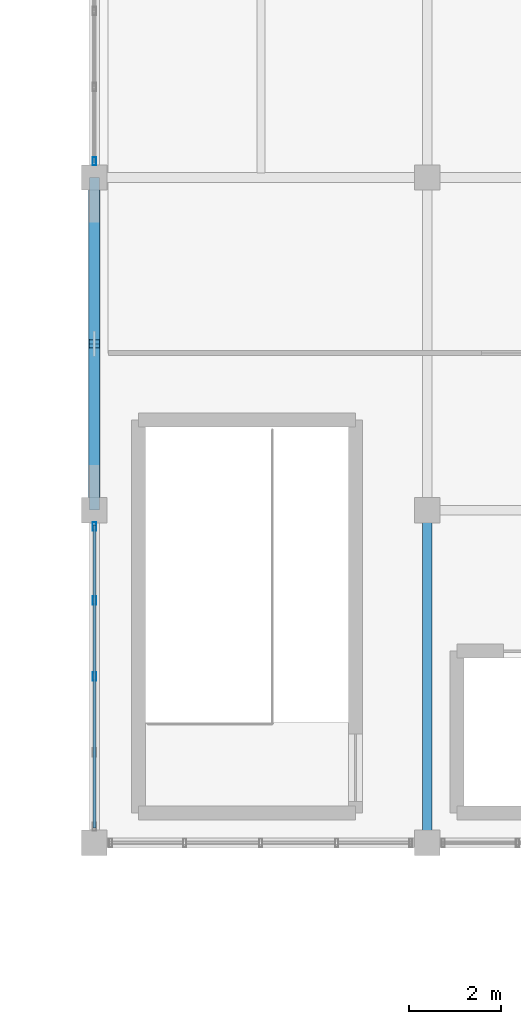
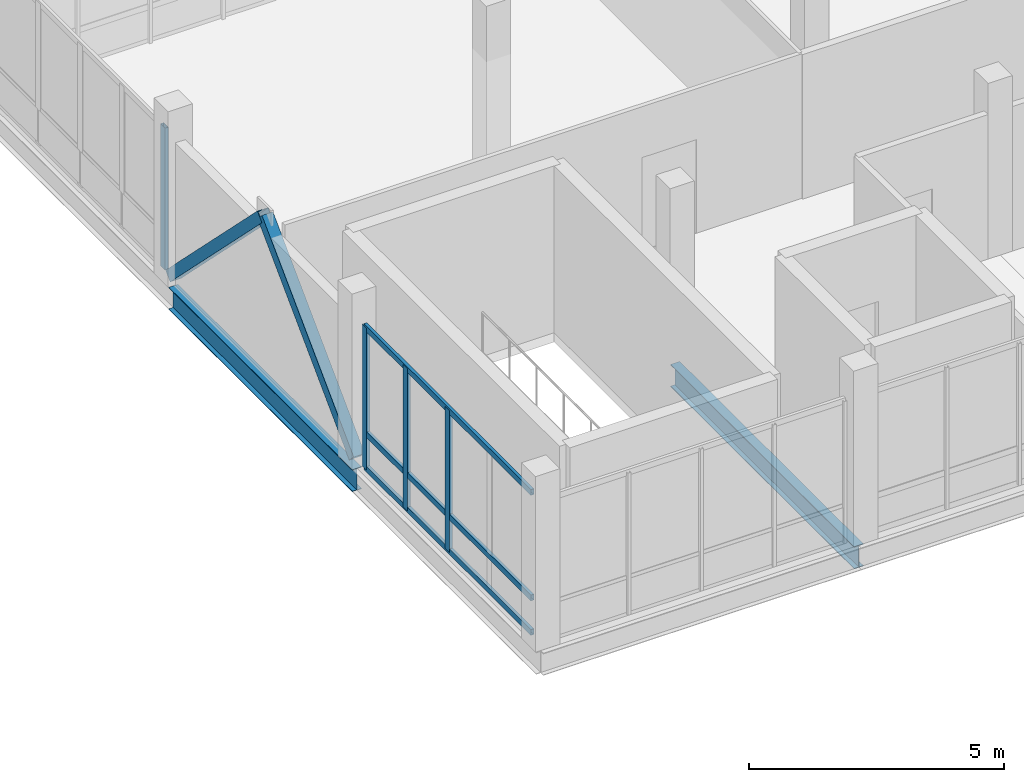
# One storey, part 8 of 28: 9 members, 2 beams, 2 elements without a shape of their own.
"""IFC4 building model written with IfcOpenShell, lengths in metres."""

from ifc_helpers import new_model, si_unit, direction, frame, origin, origin_2d, place, context, subcontext, project, spatial, hollow_rectangle, i_section, extrude, material, material_profile, profile_set, type_object, element, aggregate, save


model = new_model("IFC4")

# Units and contexts
model_context = context("Model", 3, precision=1e-05, world=origin(), true_north=direction((0.0, 1.0)))
body_context = subcontext(model_context, "Body", "Model", "MODEL_VIEW")
ifc_project = project(units=[si_unit("LENGTHUNIT", "METRE"), si_unit("AREAUNIT", "SQUARE_METRE"), si_unit("VOLUMEUNIT", "CUBIC_METRE"), si_unit("PLANEANGLEUNIT", "RADIAN"), si_unit("MASSUNIT", "GRAM", prefix="KILO")], contexts=[model_context])

# Site, building, storey
site_placement = place(None, origin())
site = spatial("IfcSite", under=ifc_project, at=site_placement, CompositionType="ELEMENT")
building_placement = place(site_placement, origin())
building = spatial("IfcBuilding", under=site, at=building_placement, Name="Yarey Park Central Fire Station", CompositionType="ELEMENT")
storey_placement = place(building_placement, frame((0.0, 0.0, 22.199951171875)))
storey = spatial("IfcBuildingStorey", under=building, at=storey_placement, Name="L06", CompositionType="ELEMENT", Elevation=22.199951171875)

# Curtain wall, members
ifc_material_1 = material(Name="Anodized Aluminium Frame", Category="aluminium")
curtain_wall_type = type_object("IfcCurtainWallType", Name="ENV_CW_HQ_L06", PredefinedType="NOTDEFINED", material=ifc_material_1)
curtain_wall_1_placement = place(storey_placement, origin())
curtain_wall_1 = element("IfcCurtainWall", 1, at=curtain_wall_1_placement, inside=storey, type_object=curtain_wall_type, Name="CW_L06_V4_W_93", PredefinedType="NOTDEFINED")
ifc_material_profile_1 = material_profile(ifc_material_1, hollow_rectangle(XDim=0.070068359375, YDim=0.179931640625, WallThickness=0.00390625, at=origin_2d()), Name="ALU 180x70x4")
ifc_profile_set_1 = profile_set([ifc_material_profile_1], Name="Anodized Aluminium Frame")
member_type_1 = type_object("IfcMemberType", Name="ENV_CW_MULLION", PredefinedType="MULLION", material=ifc_profile_set_1)
member_1_placement = place(storey_placement, frame((115.199951171875, 100.449951171875, 0.0), z_axis=(0.0, 0.0, 1.0), x_axis=(1.0, 0.0, 0.0)))
member_1 = element("IfcMember", 2, at=member_1_placement, type_object=member_type_1, Name="CW_L06_V4_W_93_MUL1", PredefinedType="MULLION", context=body_context, shape_type="SweptSolid", body=[
    extrude(hollow_rectangle(XDim=0.070068359375, YDim=0.179931640625, WallThickness=0.00390625, at=origin_2d()), origin(), (0.0, 0.0, 1.0), 3.400146484375),
])
member_2_placement = place(storey_placement, frame((115.199951171875, 98.844970703125, 0.0), z_axis=(0.0, 0.0, 1.0), x_axis=(1.0, 0.0, 0.0)))
member_2 = element("IfcMember", 3, at=member_2_placement, type_object=member_type_1, Name="CW_L06_V4_W_93_MUL2", PredefinedType="MULLION", context=body_context, shape_type="SweptSolid", body=[
    extrude(hollow_rectangle(XDim=0.070068359375, YDim=0.179931640625, WallThickness=0.00390625, at=origin_2d()), origin(), (0.0, 0.0, 1.0), 3.400146484375),
])
member_3_placement = place(storey_placement, frame((115.199951171875, 97.199951171875, 0.0), z_axis=(0.0, 0.0, 1.0), x_axis=(1.0, 0.0, 0.0)))
member_3 = element("IfcMember", 4, at=member_3_placement, type_object=member_type_1, Name="CW_L06_V4_W_93_MUL3", PredefinedType="MULLION", context=body_context, shape_type="SweptSolid", body=[
    extrude(hollow_rectangle(XDim=0.070068359375, YDim=0.179931640625, WallThickness=0.00390625, at=origin_2d()), origin(), (0.0, 0.0, 1.0), 3.400146484375),
])

# Curtain wall, member
curtain_wall_2_placement = place(storey_placement, origin())
curtain_wall_2 = element("IfcCurtainWall", 5, at=curtain_wall_2_placement, inside=storey, type_object=curtain_wall_type, Name="CW_L06_V4_W_108", PredefinedType="NOTDEFINED")
member_4_placement = place(storey_placement, frame((115.199951171875, 108.35009765625, 0.0), z_axis=(0.0, 0.0, 1.0), x_axis=(1.0, 0.0, 0.0)))
member_4 = element("IfcMember", 6, at=member_4_placement, type_object=member_type_1, Name="CW_L06_V4_W_108_MUL5", PredefinedType="MULLION", context=body_context, shape_type="SweptSolid", body=[
    extrude(hollow_rectangle(XDim=0.070068359375, YDim=0.179931640625, WallThickness=0.00390625, at=origin_2d()), origin(), (0.0, 0.0, 1.0), 3.400146484375),
])
aggregate(curtain_wall_2, [member_4])

# Member
ifc_material_profile_2 = material_profile(ifc_material_1, hollow_rectangle(XDim=0.070068359375, YDim=0.139892578125, WallThickness=0.00390625, at=origin_2d()), Name="ALU 140x70x4")
ifc_profile_set_2 = profile_set([ifc_material_profile_2], Name="Anodized Aluminium Frame")
member_type_2 = type_object("IfcMemberType", Name="ENV_CW_TRANSOM", PredefinedType="USERDEFINED", material=ifc_profile_set_2)
member_5_placement = place(storey_placement, frame((115.199951171875, 100.47509765625, 0.025146484375), z_axis=(0.0, -1.0, 0.0), x_axis=(1.0, 0.0, 0.0)))
member_5 = element("IfcMember", 7, at=member_5_placement, type_object=member_type_2, Name="CW_L06_V4_W_93_TRN1", ObjectType="TRANSOM", PredefinedType="USERDEFINED", context=body_context, shape_type="SweptSolid", body=[
    extrude(hollow_rectangle(XDim=0.070068359375, YDim=0.139892578125, WallThickness=0.00390625, at=origin_2d()), origin(), (0.0, 0.0, 1.0), 6.550048828125),
])

member_6_placement = place(storey_placement, frame((115.199951171875, 100.47509765625, 0.85009765625), z_axis=(0.0, -1.0, 0.0), x_axis=(1.0, 0.0, 0.0)))
member_6 = element("IfcMember", 8, at=member_6_placement, type_object=member_type_2, Name="CW_L06_V4_W_93_TRN2", ObjectType="TRANSOM", PredefinedType="USERDEFINED", context=body_context, shape_type="SweptSolid", body=[
    extrude(hollow_rectangle(XDim=0.070068359375, YDim=0.139892578125, WallThickness=0.00390625, at=origin_2d()), origin(), (0.0, 0.0, 1.0), 6.550048828125),
])

member_7_placement = place(storey_placement, frame((115.199951171875, 100.47509765625, 3.375), z_axis=(0.0, -1.0, 0.0), x_axis=(1.0, 0.0, 0.0)))
member_7 = element("IfcMember", 9, at=member_7_placement, type_object=member_type_2, Name="CW_L06_V4_W_93_TRN3", ObjectType="TRANSOM", PredefinedType="USERDEFINED", context=body_context, shape_type="SweptSolid", body=[
    extrude(hollow_rectangle(XDim=0.070068359375, YDim=0.139892578125, WallThickness=0.00390625, at=origin_2d()), origin(), (0.0, 0.0, 1.0), 6.550048828125),
])

aggregate(curtain_wall_1, [member_1, member_2, member_3, member_5, member_6, member_7])

# Beams
ifc_material_2 = material(Name="Steel ASTM A992 Gr. 50", Category="steel")
ifc_material_profile_3 = material_profile(ifc_material_2, i_section(OverallWidth=0.208984375, OverallDepth=0.532958984375, WebThickness=0.01025390625, FlangeThickness=0.015625, at=origin_2d()), Name="W530x92")
ifc_profile_set_3 = profile_set([ifc_material_profile_3], Name="Steel ASTM A992 Gr. 50")
beam_type = type_object("IfcBeamType", Name="STR_BM_W530", PredefinedType="BEAM", material=ifc_profile_set_3)
for number, where, z_axis, x_axis, name in (
    (10, (115.199951171875, 100.800048828125, -0.491455078125), (0.0, 1.0, 0.0), (-1.0, 0.0, 0.0), "BMY L06 X1152 Y1008"),
    (11, (122.39990234375, 93.60009765625, -0.491455078125), (0.0, 1.0, 0.0), (-1.0, 0.0, 0.0), "BMY L06 X1224 Y936"),
):
    element("IfcBeam", number, at=place(storey_placement, frame(where, z_axis=z_axis, x_axis=x_axis)), inside=storey, type_object=beam_type, Name=name, PredefinedType="BEAM", context=body_context, shape_type="SweptSolid", body=[
        extrude(i_section(OverallWidth=0.208984375, OverallDepth=0.532958984375, WebThickness=0.01025390625, FlangeThickness=0.015625, at=origin_2d()), origin(), (0.0, 0.0, 1.0), 7.199951171875),
    ])

# Members
ifc_material_3 = material(Name="Steel ASTM A500 Gr. C", Category="steel")
ifc_material_profile_4 = material_profile(ifc_material_3, hollow_rectangle(XDim=0.25, YDim=0.25, WallThickness=0.012451171875, at=origin_2d()), Name="HSS 250x250x12.5")
ifc_profile_set_4 = profile_set([ifc_material_profile_4], Name="Steel ASTM A500 Gr. C")
member_type_3 = type_object("IfcMemberType", Name="STR_CBF_HSS250", PredefinedType="BRACE", material=ifc_profile_set_4)
member_8_placement = place(storey_placement, frame((115.199951171875, 100.800048828125, 0.050048828125), z_axis=(0.0, 0.707082803744, 0.707130757816), x_axis=(-1.0, 0.0, 0.0)))
element("IfcMember", 12, at=member_8_placement, inside=storey, type_object=member_type_3, Name="CBF_V4_W1_L06", PredefinedType="BRACE", context=body_context, shape_type="SweptSolid", body=[
    extrude(hollow_rectangle(XDim=0.25, YDim=0.25, WallThickness=0.012451171875, at=origin_2d()), origin(), (0.0, 0.0, 1.0), 5.091064453125),
])
member_9_placement = place(storey_placement, frame((115.199951171875, 108.0, 0.050048828125), z_axis=(0.0, -0.707106781187, 0.707106781187), x_axis=(1.0, 0.0, 0.0)))
element("IfcMember", 13, at=member_9_placement, inside=storey, type_object=member_type_3, Name="CBF_V4_W2_L06", PredefinedType="BRACE", context=body_context, shape_type="SweptSolid", body=[
    extrude(hollow_rectangle(XDim=0.25, YDim=0.25, WallThickness=0.012451171875, at=origin_2d()), origin(), (0.0, 0.0, 1.0), 5.09130859375),
])

save(model, "model.ifc")
